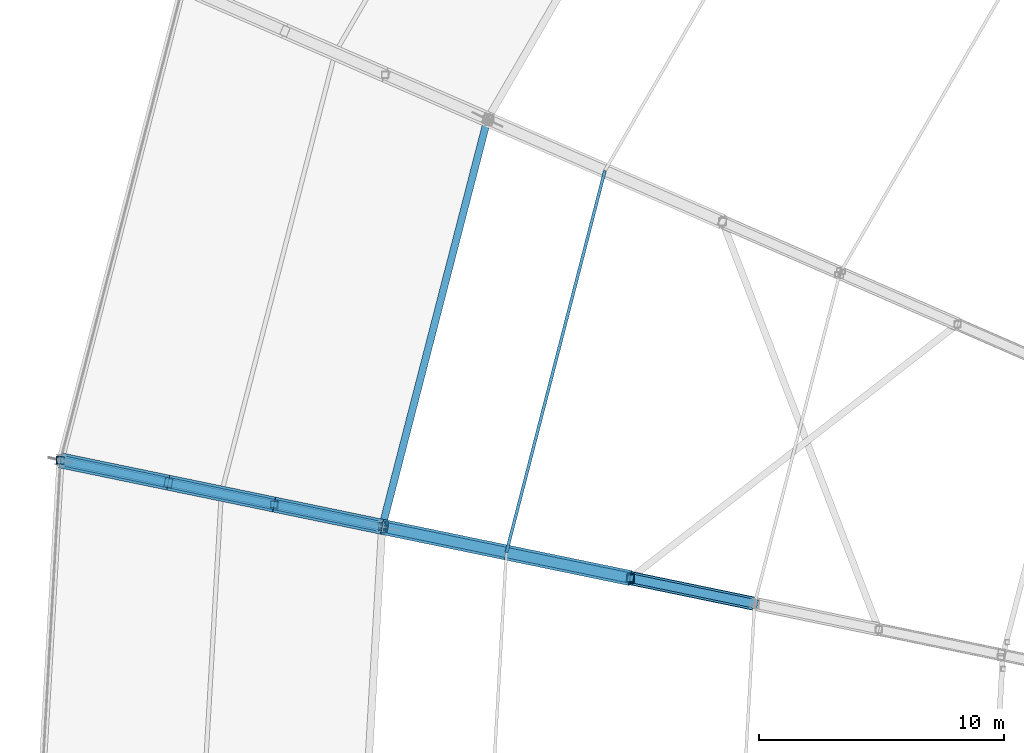
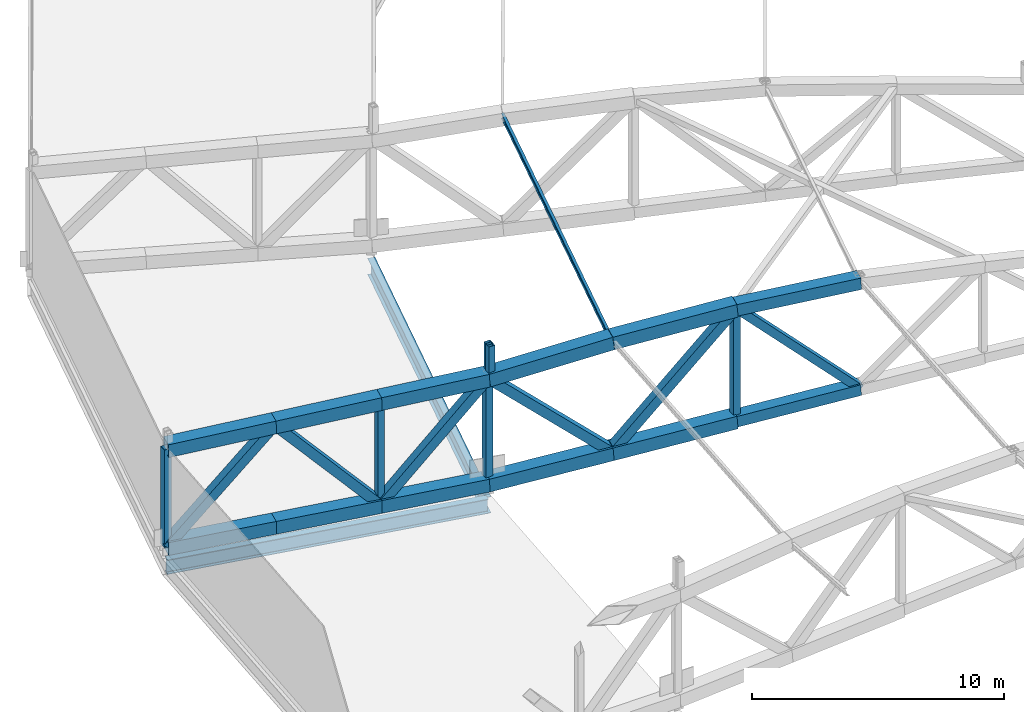
# One storey, part 41 of 162: 25 members, 2 beams.
"""IFC4 building model written with IfcOpenShell, lengths in metres."""

import ifcopenshell
import ifcopenshell.guid

model = None  # the IFC model being written
_history = None  # IfcOwnerHistory: only IFC2X3 demands one
_inside = {}  # id of a spatial element -> (the spatial element, [elements in it])
_under = {}  # id of a project, library or spatial element -> (it, [spatial elements below it])
_declared = {}  # id of a project -> (the project, [libraries it declares])
_typed = {}  # id of a type object -> (the type object, [elements of that type])
_made_of = {}  # id of a material, layer set ... -> (it, [elements and type objects made of it])


def new_model(schema):
    """Start an empty IFC model of exactly this schema.

    Asked for "IFC4X3", IfcOpenShell would pick the latest addendum, in which some entities
    have other attributes; the version numbers below select the first issue.
    IFC2X3 requires an IfcOwnerHistory on every rooted entity: one is made here for all.
    """
    global model, _history
    if schema == "IFC4X3":
        model = ifcopenshell.file(schema_version=(4, 3, 0, 0))
    else:
        model = ifcopenshell.file(schema=schema)
    _inside.clear()
    _under.clear()
    _declared.clear()
    _typed.clear()
    _made_of.clear()
    _history = None
    if model.schema == "IFC2X3":
        org = make("IfcOrganization", Name="unknown")
        user = make(
            "IfcPersonAndOrganization",
            ThePerson=make("IfcPerson", FamilyName="unknown"),
            TheOrganization=org,
        )
        app = make(
            "IfcApplication",
            ApplicationDeveloper=org,
            Version="unknown",
            ApplicationFullName="unknown",
            ApplicationIdentifier="unknown",
        )
        _history = make(
            "IfcOwnerHistory",
            OwningUser=user,
            OwningApplication=app,
            ChangeAction="ADDED",
            CreationDate=0,
        )
    return model


def make(cls, **values):
    """One entity of the class cls with the attributes given. An attribute that is None is left unset."""
    return model.create_entity(
        cls, **{name: value for name, value in values.items() if value is not None}
    )


def rooted(cls, **values):
    """An entity with a GlobalId (a new one), such as an element, a storey or a relation."""
    return make(cls, GlobalId=ifcopenshell.guid.new(), OwnerHistory=_history, **values)


def si_unit(unit_type, name, prefix=None):
    """IfcSIUnit, for example si_unit("LENGTHUNIT", "METRE", prefix="MILLI")."""
    return make("IfcSIUnit", UnitType=unit_type, Prefix=prefix, Name=name)


def assignment(units):
    """IfcUnitAssignment: the units of a project."""
    return None if units is None else make("IfcUnitAssignment", Units=units)


def point(xyz):
    """IfcCartesianPoint."""
    return None if xyz is None else make("IfcCartesianPoint", Coordinates=xyz)


def direction(xyz):
    """IfcDirection."""
    return None if xyz is None else make("IfcDirection", DirectionRatios=xyz)


def frame(location, z_axis=None, x_axis=None):
    """IfcAxis2Placement3D, a coordinate frame: its origin and axes. An axis left out is left unset."""
    return make(
        "IfcAxis2Placement3D",
        Location=point(location),
        Axis=direction(z_axis),
        RefDirection=direction(x_axis),
    )


def frame_2d(location, x_axis=None):
    """IfcAxis2Placement2D, a coordinate frame in the plane: its origin and x axis."""
    return make(
        "IfcAxis2Placement2D", Location=point(location), RefDirection=direction(x_axis)
    )


def origin():
    """The frame at (0, 0, 0) with its axes left unset."""
    return frame((0.0, 0.0, 0.0))


def origin_2d():
    """The frame at (0, 0) in the plane with its x axis left unset."""
    return frame_2d((0.0, 0.0))


def place(relative_to, where):
    """IfcLocalPlacement: puts the frame where relative to a parent placement (None: the world)."""
    return make(
        "IfcLocalPlacement", PlacementRelTo=relative_to, RelativePlacement=where
    )


def context(
    kind, dimensions, precision=None, world=None, true_north=None, identifier=None
):
    """IfcGeometricRepresentationContext, for example the 3D "Model" context."""
    return make(
        "IfcGeometricRepresentationContext",
        ContextIdentifier=identifier,
        ContextType=kind,
        CoordinateSpaceDimension=dimensions,
        Precision=precision,
        WorldCoordinateSystem=world,
        TrueNorth=true_north,
    )


def subcontext(parent, identifier, kind, view, scale=None):
    """IfcGeometricRepresentationSubContext, for example "Body" below "Model"."""
    return make(
        "IfcGeometricRepresentationSubContext",
        ContextIdentifier=identifier,
        ContextType=kind,
        ParentContext=parent,
        TargetScale=scale,
        TargetView=view,
    )


def project(units=None, contexts=None):
    """IfcProject with its units and contexts."""
    return rooted(
        "IfcProject",
        Name="project",
        RepresentationContexts=contexts,
        UnitsInContext=assignment(units),
    )


def spatial(cls, under=None, at=None, **own):
    """A site, building, storey or space (cls), placed at a placement, below another one or the project."""
    s = rooted(cls, ObjectPlacement=at, **own)
    if under is not None:
        _under.setdefault(under.id(), (under, []))[1].append(s)
    return s


def profile(cls, at=None, kind="AREA", **sizes):
    """A parametric profile (cls). Its sizes go by their IFC names, for example OverallWidth=200.0."""
    return make(cls, ProfileType=kind, Position=at, **sizes)


def hollow_rectangle(**sizes):
    """IfcRectangleHollowProfileDef."""
    return profile("IfcRectangleHollowProfileDef", **sizes)


def i_section(**sizes):
    """IfcIShapeProfileDef."""
    return profile("IfcIShapeProfileDef", **sizes)


def extrude(swept, where, along, depth):
    """IfcExtrudedAreaSolid: the profile swept, set in the frame where, extruded along a direction by depth."""
    return make(
        "IfcExtrudedAreaSolid",
        SweptArea=swept,
        Position=where,
        ExtrudedDirection=direction(along),
        Depth=depth,
    )


def shape(context_of_items, identifier, shape_type, items):
    """IfcShapeRepresentation: the items that make up one representation, for example the "Body"."""
    return make(
        "IfcShapeRepresentation",
        ContextOfItems=context_of_items,
        RepresentationIdentifier=identifier,
        RepresentationType=shape_type,
        Items=items,
    )


def material(Name=None, Category=None):
    """IfcMaterial."""
    return make("IfcMaterial", Name=Name, Category=Category)


def material_profile(
    of_material, cross_section, Name=None, Category=None, Priority=None
):
    """IfcMaterialProfile: a cross section and its material."""
    return make(
        "IfcMaterialProfile",
        Name=Name,
        Material=of_material,
        Profile=cross_section,
        Priority=Priority,
        Category=Category,
    )


def profile_set(profiles, Name=None, composite=None):
    """IfcMaterialProfileSet."""
    return make(
        "IfcMaterialProfileSet",
        Name=Name,
        MaterialProfiles=profiles,
        CompositeProfile=composite,
    )


def made_of(thing, what):
    """Note that an element or type object is made of a material, layer set ...; save() writes the relation."""
    if what is not None:
        _made_of.setdefault(what.id(), (what, []))[1].append(thing)
    return thing


def type_object(cls, material=None, **own):
    """A type object (cls), such as IfcWallType, which elements share."""
    return made_of(rooted(cls, **own), material)


def element(
    cls,
    number,
    at=None,
    inside=None,
    cuts=None,
    type_object=None,
    material=None,
    context=None,
    identifier="Body",
    shape_type=None,
    held_by="IfcProductDefinitionShape",
    body=None,
    shapes=None,
    **own,
):
    """One element of the class cls, such as IfcWall. Its Tag is "e" and its number.

    at: its placement. inside: the storey or other place that contains it. cuts: it is an
    opening in that element (IfcRelVoidsElement). A single representation is given by context,
    identifier, shape_type and body (its items); several are given by shapes. held_by: the class
    of the entity that holds the representations. save() writes the other relations.
    """
    e = rooted(cls, Tag="e%d" % number, ObjectPlacement=at, **own)
    if body is not None:
        shapes = [shape(context, identifier, shape_type, body)]
    if shapes is not None:
        e.Representation = make(held_by, Representations=shapes)
    if inside is not None:
        _inside.setdefault(inside.id(), (inside, []))[1].append(e)
    if cuts is not None:
        rooted(
            "IfcRelVoidsElement", RelatingBuildingElement=cuts, RelatedOpeningElement=e
        )
    if type_object is not None:
        _typed.setdefault(type_object.id(), (type_object, []))[1].append(e)
    return made_of(e, material)


def aggregate(whole, parts):
    """IfcRelAggregates: a whole, such as a stair, and the parts it consists of."""
    return rooted("IfcRelAggregates", RelatingObject=whole, RelatedObjects=parts)


def save(model, path):
    """Write the relations noted so far, then the file.

    IfcRelAggregates (storeys below a building ...), IfcRelContainedInSpatialStructure (elements
    in a storey), IfcRelDefinesByType, IfcRelAssociatesMaterial and IfcRelDeclares: one each for
    every whole, place, type object, material and project.
    """
    for whole, parts in _under.values():
        aggregate(whole, parts)
    for where, things in _inside.values():
        rooted(
            "IfcRelContainedInSpatialStructure",
            RelatedElements=things,
            RelatingStructure=where,
        )
    for kind, things in _typed.values():
        rooted("IfcRelDefinesByType", RelatedObjects=things, RelatingType=kind)
    for what, things in _made_of.values():
        rooted("IfcRelAssociatesMaterial", RelatedObjects=things, RelatingMaterial=what)
    for by, libraries in _declared.values():
        rooted("IfcRelDeclares", RelatingContext=by, RelatedDefinitions=libraries)
    model.write(path)


model = new_model("IFC4")

# Units and contexts
model_context = context("Model", 3, precision=1e-05, world=origin(), true_north=direction((0.0, 1.0)))
body_context = subcontext(model_context, "Body", "Model", "MODEL_VIEW")
ifc_project = project(units=[si_unit("LENGTHUNIT", "METRE"), si_unit("AREAUNIT", "SQUARE_METRE"), si_unit("VOLUMEUNIT", "CUBIC_METRE"), si_unit("PLANEANGLEUNIT", "RADIAN"), si_unit("MASSUNIT", "GRAM", prefix="KILO")], contexts=[model_context])

# Site, building, storey
site_placement = place(None, origin())
site = spatial("IfcSite", under=ifc_project, at=site_placement, CompositionType="ELEMENT")
building_placement = place(site_placement, origin())
building = spatial("IfcBuilding", under=site, at=building_placement, Name="Kazemori Nagisa Stadium", CompositionType="ELEMENT")
storey_placement = place(building_placement, frame((0.0, 0.0, 36.719970703125)))
storey = spatial("IfcBuildingStorey", under=building, at=storey_placement, Name="RF", CompositionType="ELEMENT", Elevation=36.719970703125)

# Beams
ifc_material_1 = material(Name="Steel SN490B", Category="steel")
ifc_material_profile_1 = material_profile(ifc_material_1, i_section(OverallWidth=0.300048828125, OverallDepth=0.699951171875, WebThickness=0.012939453125, FlangeThickness=0.02392578125, FilletRadius=0.01806640625, at=origin_2d()), Name="H-700x300x13x24")
ifc_profile_set_1 = profile_set([ifc_material_profile_1], Name="Steel SN490B")
beam_type_1 = type_object("IfcBeamType", Name="Beam_BG-H700", PredefinedType="BEAM", material=ifc_profile_set_1)
beam_1_placement = place(storey_placement, frame((42.262451171875, 118.68212890625, -0.6298828125), z_axis=(-0.979315516463, 0.202339119339, 0.0), x_axis=(-0.202339119339, -0.979315516463, 0.0)))
element("IfcBeam", 1, at=beam_1_placement, inside=storey, type_object=beam_type_1, Name="Radial girder BG-H700 RF R2-R3-14", PredefinedType="BEAM", context=body_context, shape_type="SweptSolid", body=[
    extrude(i_section(OverallWidth=0.300048828125, OverallDepth=0.699951171875, WebThickness=0.012939453125, FlangeThickness=0.02392578125, FilletRadius=0.01806640625, at=origin_2d()), origin(), (0.0, 0.0, 1.0), 13.4208984375),
])
ifc_material_profile_2 = material_profile(ifc_material_1, i_section(OverallWidth=0.300048828125, OverallDepth=0.800048828125, WebThickness=0.013916015625, FlangeThickness=0.02587890625, FilletRadius=0.01806640625, at=origin_2d()), Name="H-800x300x14x26")
ifc_profile_set_2 = profile_set([ifc_material_profile_2], Name="Steel SN490B")
beam_type_2 = type_object("IfcBeamType", Name="Beam_BG-H800", PredefinedType="BEAM", material=ifc_profile_set_2)
beam_2_placement = place(storey_placement, frame((46.55908203125, 135.32470703125, -0.679931640625), z_axis=(-0.249974673676, -0.968252375427, 0.0), x_axis=(0.968252375427, -0.249974673676, 0.0)))
element("IfcBeam", 2, at=beam_2_placement, inside=storey, type_object=beam_type_2, Name="Ring girder BG-H800 RF R2-13", PredefinedType="BEAM", context=body_context, shape_type="SweptSolid", body=[
    extrude(i_section(OverallWidth=0.300048828125, OverallDepth=0.800048828125, WebThickness=0.013916015625, FlangeThickness=0.02587890625, FilletRadius=0.01806640625, at=origin_2d()), origin(), (0.0, 0.0, 1.0), 17.188232421875),
])

# Members
ifc_material_2 = material(Name="Steel STKR490", Category="steel")
ifc_material_profile_3 = material_profile(ifc_material_2, hollow_rectangle(XDim=0.280029296875, YDim=0.280029296875, WallThickness=0.010009765625, at=origin_2d()), Name="SHS-280x280x10")
ifc_profile_set_3 = profile_set([ifc_material_profile_3], Name="Steel STKR490")
member_type_1 = type_object("IfcMemberType", Name="Member_ST-SHS280", PredefinedType="STUD", material=ifc_profile_set_3)
member_1_placement = place(storey_placement, frame((42.3642578125, 118.74560546875, 5.56005859375), z_axis=(0.0, 0.0, 1.0), x_axis=(1.0, 0.0, 0.0)))
element("IfcMember", 3, at=member_1_placement, inside=storey, type_object=member_type_1, Name="Canopy bearing stool B13-mid-2", PredefinedType="STUD", context=body_context, shape_type="SweptSolid", body=[
    extrude(hollow_rectangle(XDim=0.280029296875, YDim=0.280029296875, WallThickness=0.010009765625, at=origin_2d()), origin(), (0.0, 0.0, 1.0), 1.56689453125),
])
member_2_placement = place(storey_placement, frame((42.336669921875, 118.587646484375, 5.56005859375), z_axis=(0.0, 0.0, 1.0), x_axis=(1.0, 0.0, 0.0)))
element("IfcMember", 4, at=member_2_placement, inside=storey, type_object=member_type_1, Name="Canopy bearing stool B14-mid-1", PredefinedType="STUD", context=body_context, shape_type="SweptSolid", body=[
    extrude(hollow_rectangle(XDim=0.280029296875, YDim=0.280029296875, WallThickness=0.010009765625, at=origin_2d()), origin(), (0.0, 0.0, 1.0), 1.5849609375),
])
ifc_material_profile_4 = material_profile(ifc_material_2, hollow_rectangle(XDim=0.360107421875, YDim=0.360107421875, WallThickness=0.013916015625, at=origin_2d()), Name="SHS-360x360x14")
ifc_profile_set_4 = profile_set([ifc_material_profile_4], Name="Steel STKR490")
member_type_2 = type_object("IfcMemberType", Name="Member_TB-SHS360", PredefinedType="BRACE", material=ifc_profile_set_4)
member_3_placement = place(storey_placement, frame((52.401611328125, 116.587158203125, 6.666015625), z_axis=(0.703447291595, -0.145364427076, -0.695723430171), x_axis=(0.202370113198, 0.979309112224, 0.0)))
element("IfcMember", 5, at=member_3_placement, inside=storey, type_object=member_type_2, Name="Roof space truss diagonal RT-14-6", PredefinedType="BRACE", context=body_context, shape_type="SweptSolid", body=[
    extrude(hollow_rectangle(XDim=0.360107421875, YDim=0.360107421875, WallThickness=0.013916015625, at=origin_2d()), origin(), (0.0, 0.0, 1.0), 7.206787109375),
])
ifc_material_profile_5 = material_profile(ifc_material_2, hollow_rectangle(XDim=0.419921875, YDim=0.419921875, WallThickness=0.01611328125, at=origin_2d()), Name="SHS-420x420x16")
ifc_profile_set_5 = profile_set([ifc_material_profile_5], Name="Steel STKR490")
member_type_3 = type_object("IfcMemberType", Name="Member_TB-SHS420", PredefinedType="BRACE", material=ifc_profile_set_5)
member_4_placement = place(storey_placement, frame((29.119140625, 121.397705078125, 0.360107421875), z_axis=(0.662864139427, -0.136952066432, 0.736108187811), x_axis=(0.202333241472, 0.979316730887, 0.0)))
element("IfcMember", 6, at=member_4_placement, inside=storey, type_object=member_type_3, Name="Roof space truss diagonal RT-14-1", PredefinedType="BRACE", context=body_context, shape_type="SweptSolid", body=[
    extrude(hollow_rectangle(XDim=0.419921875, YDim=0.419921875, WallThickness=0.01611328125, at=origin_2d()), origin(), (0.0, 0.0, 1.0), 6.656494140625),
])
member_5_placement = place(storey_placement, frame((33.531494140625, 120.486083984375, 5.260009765625), z_axis=(0.661047827979, -0.136589395176, -0.737806957306), x_axis=(0.202351130202, 0.979313034788, 0.0)))
element("IfcMember", 7, at=member_5_placement, inside=storey, type_object=member_type_3, Name="Roof space truss diagonal RT-14-2", PredefinedType="BRACE", context=body_context, shape_type="SweptSolid", body=[
    extrude(hollow_rectangle(XDim=0.419921875, YDim=0.419921875, WallThickness=0.01611328125, at=origin_2d()), origin(), (0.0, 0.0, 1.0), 6.532958984375),
])
member_6_placement = place(storey_placement, frame((37.85009765625, 119.59375, 0.43994140625), z_axis=(0.646950982028, -0.133664304039, 0.750725169872), x_axis=(0.202333241472, 0.979316730887, 0.0)))
element("IfcMember", 8, at=member_6_placement, inside=storey, type_object=member_type_3, Name="Roof space truss diagonal RT-14-3", PredefinedType="BRACE", context=body_context, shape_type="SweptSolid", body=[
    extrude(hollow_rectangle(XDim=0.419921875, YDim=0.419921875, WallThickness=0.01611328125, at=origin_2d()), origin(), (0.0, 0.0, 1.0), 6.8203125),
])
member_7_placement = place(storey_placement, frame((42.262451171875, 118.68212890625, 5.56005859375), z_axis=(0.724836115143, -0.149784337591, -0.672441267619), x_axis=(0.202370113198, 0.979309112224, 0.0)))
element("IfcMember", 9, at=member_7_placement, inside=storey, type_object=member_type_3, Name="Roof space truss diagonal RT-14-4", PredefinedType="BRACE", context=body_context, shape_type="SweptSolid", body=[
    extrude(hollow_rectangle(XDim=0.419921875, YDim=0.419921875, WallThickness=0.01611328125, at=origin_2d()), origin(), (0.0, 0.0, 1.0), 6.994140625),
])
member_8_placement = place(storey_placement, frame((47.33203125, 117.634521484375, 0.85693359375), z_axis=(0.651538155045, -0.134606245372, 0.746578322232), x_axis=(0.20232488246, 0.979318457876, 0.0)))
element("IfcMember", 10, at=member_8_placement, inside=storey, type_object=member_type_3, Name="Roof space truss diagonal RT-14-5", PredefinedType="BRACE", context=body_context, shape_type="SweptSolid", body=[
    extrude(hollow_rectangle(XDim=0.419921875, YDim=0.419921875, WallThickness=0.01611328125, at=origin_2d()), origin(), (0.0, 0.0, 1.0), 7.781005859375),
])
ifc_material_profile_6 = material_profile(ifc_material_2, hollow_rectangle(XDim=0.52001953125, YDim=0.52001953125, WallThickness=0.01904296875, at=origin_2d()), Name="SHS-520x520x19")
ifc_profile_set_6 = profile_set([ifc_material_profile_6], Name="Steel STKR490")
member_type_4 = type_object("IfcMemberType", Name="Member_TC-SHS520", PredefinedType="CHORD", material=ifc_profile_set_6)
member_9_placement = place(storey_placement, frame((52.401611328125, 116.587158203125, 1.255126953125), z_axis=(0.976442319239, -0.201777702473, 0.076460159455), x_axis=(0.202370113198, 0.979309112224, 0.0)))
element("IfcMember", 11, at=member_9_placement, inside=storey, type_object=member_type_4, Name="Roof space truss bottom chord RT-14-6", PredefinedType="CHORD", context=body_context, shape_type="SweptSolid", body=[
    extrude(hollow_rectangle(XDim=0.52001953125, YDim=0.52001953125, WallThickness=0.01904296875, at=origin_2d()), origin(), (0.0, 0.0, 1.0), 5.19189453125),
])
ifc_material_profile_7 = material_profile(ifc_material_2, hollow_rectangle(XDim=0.56005859375, YDim=0.56005859375, WallThickness=0.02001953125, at=origin_2d()), Name="SHS-560x560x20")
ifc_profile_set_7 = profile_set([ifc_material_profile_7], Name="Steel STKR490")
member_type_5 = type_object("IfcMemberType", Name="Member_TC-SHS560", PredefinedType="CHORD", material=ifc_profile_set_7)
member_10_placement = place(storey_placement, frame((52.401611328125, 116.587158203125, 6.666015625), z_axis=(0.978919879891, -0.202289679972, 0.028191383972), x_axis=(0.202370113198, 0.979309112224, 0.0)))
element("IfcMember", 12, at=member_10_placement, inside=storey, type_object=member_type_5, Name="Roof space truss top chord RT-14-6", PredefinedType="CHORD", context=body_context, shape_type="SweptSolid", body=[
    extrude(hollow_rectangle(XDim=0.56005859375, YDim=0.56005859375, WallThickness=0.02001953125, at=origin_2d()), origin(), (0.0, 0.0, 1.0), 5.1787109375),
])
ifc_material_profile_8 = material_profile(ifc_material_2, hollow_rectangle(XDim=0.6201171875, YDim=0.6201171875, WallThickness=0.02197265625, at=origin_2d()), Name="SHS-620x620x22")
ifc_profile_set_8 = profile_set([ifc_material_profile_8], Name="Steel STKR490")
member_type_6 = type_object("IfcMemberType", Name="Member_TC-SHS620", PredefinedType="CHORD", material=ifc_profile_set_8)
member_11_placement = place(storey_placement, frame((29.119140625, 121.397705078125, 5.10009765625), z_axis=(0.978700488518, -0.202205921769, 0.035469972887), x_axis=(0.202333241472, 0.979316730887, 0.0)))
element("IfcMember", 13, at=member_11_placement, inside=storey, type_object=member_type_6, Name="Roof space truss top chord RT-14-1", PredefinedType="CHORD", context=body_context, shape_type="SweptSolid", body=[
    extrude(hollow_rectangle(XDim=0.6201171875, YDim=0.6201171875, WallThickness=0.02197265625, at=origin_2d()), origin(), (0.0, 0.0, 1.0), 4.50830078125),
])
member_12_placement = place(storey_placement, frame((29.119140625, 121.397705078125, 0.360107421875), z_axis=(0.97927806384, -0.202325252608, 0.008886272477), x_axis=(0.202333241472, 0.979316730887, 0.0)))
element("IfcMember", 14, at=member_12_placement, inside=storey, type_object=member_type_6, Name="Roof space truss bottom chord RT-14-1", PredefinedType="CHORD", context=body_context, shape_type="SweptSolid", body=[
    extrude(hollow_rectangle(XDim=0.6201171875, YDim=0.6201171875, WallThickness=0.02197265625, at=origin_2d()), origin(), (0.0, 0.0, 1.0), 4.505615234375),
])
member_13_placement = place(storey_placement, frame((33.531494140625, 120.486083984375, 5.260009765625), z_axis=(0.978669780652, -0.202218217439, 0.0362388324), x_axis=(0.202351130202, 0.979313034788, 0.0)))
element("IfcMember", 15, at=member_13_placement, inside=storey, type_object=member_type_6, Name="Roof space truss top chord RT-14-2", PredefinedType="CHORD", context=body_context, shape_type="SweptSolid", body=[
    extrude(hollow_rectangle(XDim=0.6201171875, YDim=0.6201171875, WallThickness=0.02197265625, at=origin_2d()), origin(), (0.0, 0.0, 1.0), 4.412841796875),
])
member_14_placement = place(storey_placement, frame((33.531494140625, 120.486083984375, 0.400146484375), z_axis=(0.979273161988, -0.202342891462, 0.009023773272), x_axis=(0.202351130202, 0.979313034788, 0.0)))
element("IfcMember", 16, at=member_14_placement, inside=storey, type_object=member_type_6, Name="Roof space truss bottom chord RT-14-2", PredefinedType="CHORD", context=body_context, shape_type="SweptSolid", body=[
    extrude(hollow_rectangle(XDim=0.6201171875, YDim=0.6201171875, WallThickness=0.02197265625, at=origin_2d()), origin(), (0.0, 0.0, 1.0), 4.409912109375),
])
member_15_placement = place(storey_placement, frame((37.85009765625, 119.59375, 5.419921875), z_axis=(0.978843374928, -0.202235443035, 0.031088147912), x_axis=(0.202333241472, 0.979316730887, 0.0)))
element("IfcMember", 17, at=member_15_placement, inside=storey, type_object=member_type_6, Name="Roof space truss top chord RT-14-3", PredefinedType="CHORD", context=body_context, shape_type="SweptSolid", body=[
    extrude(hollow_rectangle(XDim=0.6201171875, YDim=0.6201171875, WallThickness=0.02197265625, at=origin_2d()), origin(), (0.0, 0.0, 1.0), 4.5078125),
])
member_16_placement = place(storey_placement, frame((37.85009765625, 119.59375, 0.43994140625), z_axis=(0.97927806384, -0.202325252608, 0.008886272477), x_axis=(0.202333241472, 0.979316730887, 0.0)))
element("IfcMember", 18, at=member_16_placement, inside=storey, type_object=member_type_6, Name="Roof space truss bottom chord RT-14-3", PredefinedType="CHORD", context=body_context, shape_type="SweptSolid", body=[
    extrude(hollow_rectangle(XDim=0.6201171875, YDim=0.6201171875, WallThickness=0.02197265625, at=origin_2d()), origin(), (0.0, 0.0, 1.0), 4.505615234375),
])
member_17_placement = place(storey_placement, frame((42.262451171875, 118.68212890625, 5.56005859375), z_axis=(0.971401606414, -0.200736060348, 0.126822526125), x_axis=(0.202370113198, 0.979309112224, 0.0)))
element("IfcMember", 19, at=member_17_placement, inside=storey, type_object=member_type_6, Name="Roof space truss top chord RT-14-4", PredefinedType="CHORD", context=body_context, shape_type="SweptSolid", body=[
    extrude(hollow_rectangle(XDim=0.6201171875, YDim=0.6201171875, WallThickness=0.02197265625, at=origin_2d()), origin(), (0.0, 0.0, 1.0), 5.21875),
])
member_18_placement = place(storey_placement, frame((42.262451171875, 118.68212890625, 0.47998046875), z_axis=(0.976723060532, -0.201835716482, 0.072625109822), x_axis=(0.202370113198, 0.979309112224, 0.0)))
element("IfcMember", 20, at=member_18_placement, inside=storey, type_object=member_type_6, Name="Roof space truss bottom chord RT-14-4", PredefinedType="CHORD", context=body_context, shape_type="SweptSolid", body=[
    extrude(hollow_rectangle(XDim=0.6201171875, YDim=0.6201171875, WallThickness=0.02197265625, at=origin_2d()), origin(), (0.0, 0.0, 1.0), 5.1904296875),
])
member_19_placement = place(storey_placement, frame((47.33203125, 117.634521484375, 6.221923828125), z_axis=(0.975734571345, -0.20158445996, 0.085473690598), x_axis=(0.20232488246, 0.979318457876, 0.0)))
element("IfcMember", 21, at=member_19_placement, inside=storey, type_object=member_type_6, Name="Roof space truss top chord RT-14-5", PredefinedType="CHORD", context=body_context, shape_type="SweptSolid", body=[
    extrude(hollow_rectangle(XDim=0.6201171875, YDim=0.6201171875, WallThickness=0.02197265625, at=origin_2d()), origin(), (0.0, 0.0, 1.0), 5.195556640625),
])
member_20_placement = place(storey_placement, frame((47.33203125, 117.634521484375, 0.85693359375), z_axis=(0.976434002432, -0.201728960772, 0.076694623548), x_axis=(0.20232488246, 0.979318457876, 0.0)))
element("IfcMember", 22, at=member_20_placement, inside=storey, type_object=member_type_6, Name="Roof space truss bottom chord RT-14-5", PredefinedType="CHORD", context=body_context, shape_type="SweptSolid", body=[
    extrude(hollow_rectangle(XDim=0.6201171875, YDim=0.6201171875, WallThickness=0.02197265625, at=origin_2d()), origin(), (0.0, 0.0, 1.0), 5.19189453125),
])
ifc_material_profile_9 = material_profile(ifc_material_1, i_section(OverallWidth=0.125, OverallDepth=0.25, WebThickness=0.006103515625, FlangeThickness=0.009033203125, FilletRadius=0.008056640625, at=origin_2d()), Name="H-250x125x6x9")
ifc_profile_set_9 = profile_set([ifc_material_profile_9], Name="Steel SN490B")
member_type_7 = type_object("IfcMemberType", Name="Member_TP-H250", PredefinedType="PURLIN", material=ifc_profile_set_9)
member_21_placement = place(storey_placement, frame((51.358642578125, 133.232177734375, 6.199951171875), z_axis=(-0.249959832436, -0.968255246143, 0.001363995933), x_axis=(0.968256146857, -0.249960064959, 0.0)))
element("IfcMember", 23, at=member_21_placement, inside=storey, type_object=member_type_7, Name="Roof purlin TP-H250 B13-P4", PredefinedType="PURLIN", context=body_context, shape_type="SweptSolid", body=[
    extrude(i_section(OverallWidth=0.125, OverallDepth=0.25, WebThickness=0.006103515625, FlangeThickness=0.009033203125, FilletRadius=0.008056640625, at=origin_2d()), origin(), (0.0, 0.0, 1.0), 16.109130859375),
])
ifc_material_profile_10 = material_profile(ifc_material_2, hollow_rectangle(XDim=0.280029296875, YDim=0.280029296875, WallThickness=0.010009765625, at=origin_2d()), Name="SHS-280x280x10")
ifc_profile_set_10 = profile_set([ifc_material_profile_10], Name="Steel STKR490")
member_type_8 = type_object("IfcMemberType", Name="Member_TS-SHS280", PredefinedType="STRUT", material=ifc_profile_set_10)
member_22_placement = place(storey_placement, frame((37.85009765625, 119.59375, 0.43994140625), z_axis=(0.0, 0.0, 1.0), x_axis=(1.0, 0.0, 0.0)))
element("IfcMember", 24, at=member_22_placement, inside=storey, type_object=member_type_8, Name="Roof space truss strut RT-14-3", PredefinedType="STRUT", context=body_context, shape_type="SweptSolid", body=[
    extrude(hollow_rectangle(XDim=0.280029296875, YDim=0.280029296875, WallThickness=0.010009765625, at=origin_2d()), origin(), (0.0, 0.0, 1.0), 4.97998046875),
])
ifc_material_profile_11 = material_profile(ifc_material_2, hollow_rectangle(XDim=0.320068359375, YDim=0.320068359375, WallThickness=0.011962890625, at=origin_2d()), Name="SHS-320x320x12")
ifc_profile_set_11 = profile_set([ifc_material_profile_11], Name="Steel STKR490")
member_type_9 = type_object("IfcMemberType", Name="Member_TS-SHS320", PredefinedType="STRUT", material=ifc_profile_set_11)
member_23_placement = place(storey_placement, frame((29.119140625, 121.397705078125, 0.360107421875), z_axis=(0.0, 0.0, 1.0), x_axis=(1.0, 0.0, 0.0)))
element("IfcMember", 25, at=member_23_placement, inside=storey, type_object=member_type_9, Name="Roof space truss strut RT-14-1", PredefinedType="STRUT", context=body_context, shape_type="SweptSolid", body=[
    extrude(hollow_rectangle(XDim=0.320068359375, YDim=0.320068359375, WallThickness=0.011962890625, at=origin_2d()), origin(), (0.0, 0.0, 1.0), 4.739990234375),
])
member_24_placement = place(storey_placement, frame((42.262451171875, 118.68212890625, 0.47998046875), z_axis=(0.0, 0.0, 1.0), x_axis=(1.0, 0.0, 0.0)))
element("IfcMember", 26, at=member_24_placement, inside=storey, type_object=member_type_9, Name="Roof space truss strut RT-14-4", PredefinedType="STRUT", context=body_context, shape_type="SweptSolid", body=[
    extrude(hollow_rectangle(XDim=0.320068359375, YDim=0.320068359375, WallThickness=0.011962890625, at=origin_2d()), origin(), (0.0, 0.0, 1.0), 5.080078125),
])
member_25_placement = place(storey_placement, frame((52.401611328125, 116.587158203125, 1.255126953125), z_axis=(0.0, 0.0, 1.0), x_axis=(1.0, 0.0, 0.0)))
element("IfcMember", 27, at=member_25_placement, inside=storey, type_object=member_type_9, Name="Roof space truss strut RT-14-6", PredefinedType="STRUT", context=body_context, shape_type="SweptSolid", body=[
    extrude(hollow_rectangle(XDim=0.320068359375, YDim=0.320068359375, WallThickness=0.011962890625, at=origin_2d()), origin(), (0.0, 0.0, 1.0), 5.410888671875),
])

save(model, "model.ifc")
